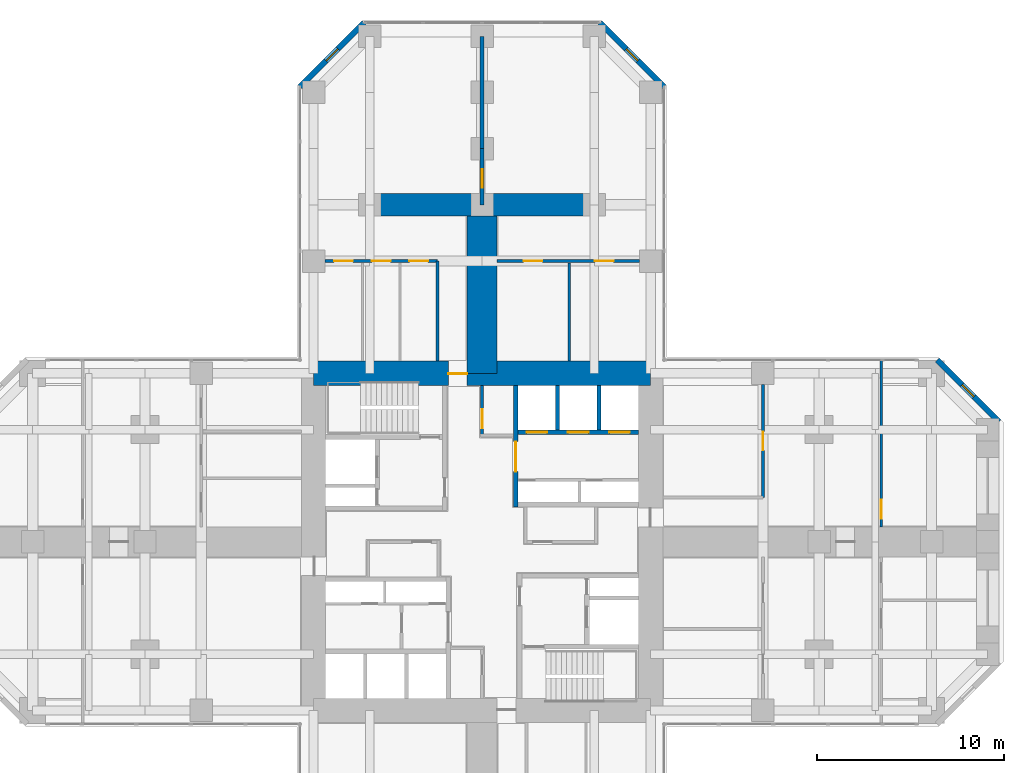
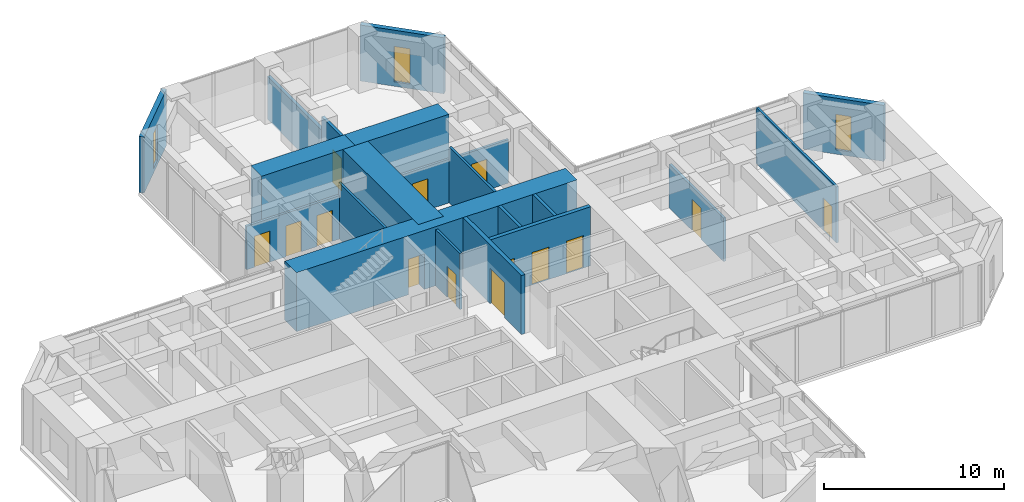
# One storey, part 11 of 13: 20 walls, 14 doors, 3 windows, 17 openings.
"""IFC4 building model written with IfcOpenShell, lengths in metres."""

from ifc_helpers import new_model, si_unit, direction, frame, frame_2d, origin, place, context, subcontext, project, spatial, rectangle, hollow_rectangle, extrude, material, layer, layer_set, constituent, constituent_set, type_object, element, fill, save


model = new_model("IFC4")

# Units and contexts
model_context = context("Model", 3, precision=1e-05, world=origin(), true_north=direction((0.0, 1.0)))
body_context = subcontext(model_context, "Body", "Model", "MODEL_VIEW")
ifc_project = project(units=[si_unit("LENGTHUNIT", "METRE"), si_unit("AREAUNIT", "SQUARE_METRE"), si_unit("VOLUMEUNIT", "CUBIC_METRE"), si_unit("PLANEANGLEUNIT", "RADIAN"), si_unit("MASSUNIT", "GRAM", prefix="KILO")], contexts=[model_context])

# Site, building, storey
site_placement = place(None, origin())
site = spatial("IfcSite", under=ifc_project, at=site_placement, CompositionType="ELEMENT")
building_placement = place(site_placement, origin())
building = spatial("IfcBuilding", under=site, at=building_placement, Name="Torre Cruceta", CompositionType="ELEMENT")
storey_placement = place(building_placement, frame((0.0, 0.0, 23.5)))
storey = spatial("IfcBuildingStorey", under=building, at=storey_placement, Name="L05", CompositionType="ELEMENT", Elevation=23.5)

# Wall, opening, door
ifc_material_1 = material(Name="Concrete G60 (fck 60 MPa)", Category="concrete")
ifc_layer_1 = layer(ifc_material_1, 0.25)
ifc_layer_set_1 = layer_set([ifc_layer_1], Name="Concrete G60 (fck 60 MPa)")
wall_type_1 = type_object("IfcWallType", Name="CORE INNER WALL 250 G60", PredefinedType="SHEAR", material=ifc_layer_set_1)
wall_1_placement = place(storey_placement, frame((1.800048828125, 1.875, 0.0), z_axis=(0.0, 0.0, 1.0), x_axis=(0.0, 1.0, 0.0)))
wall_1 = element("IfcWall", 1, at=wall_1_placement, inside=storey, type_object=wall_type_1, Name="CW4 L05 NE-CU", PredefinedType="SHEAR", context=body_context, shape_type="SweptSolid", body=[
    extrude(rectangle(XDim=6.47509765625, YDim=0.25, at=frame_2d((3.237548828125, 0.0))), origin(), (0.0, 0.0, 1.0), 4.0),
])
opening_1_placement = place(wall_1_placement, frame((1.875, 0.0, 0.0)))
opening_1 = element("IfcOpeningElement", 2, at=opening_1_placement, cuts=wall_1, Name="Opening D8", PredefinedType="OPENING", context=body_context, shape_type="SweptSolid", body=[
    extrude(rectangle(XDim=1.60009765625, YDim=2.39990234375, at=frame_2d((0.800048828125, 1.199951171875))), frame((0.0, 0.135009765625, 0.0), z_axis=(0.0, -1.0, 0.0), x_axis=(1.0, 0.0, 0.0)), (0.0, 0.0, 1.0), 0.27001953125),
])
ifc_material_2 = material(Name="Steel DX51D", Category="steel")
ifc_constituent_1 = constituent(ifc_material_2, Name="Leaf and frame")
ifc_material_3 = material(Name="Polyester powder coating", Category="paint")
ifc_constituent_2 = constituent(ifc_material_3, Name="Finish")
ifc_material_4 = material(Name="Fire-resisting glass", Category="glass")
ifc_constituent_3 = constituent(ifc_material_4, Name="Vision panel")
ifc_constituent_set_1 = constituent_set(constituents=[ifc_constituent_1, ifc_constituent_2, ifc_constituent_3], Name="Steel fire door with vision panels")
door_type_1 = type_object("IfcDoorType", Name="LIFT LOBBY DOUBLE DOOR 1600X2400", OperationType="DOUBLE_DOOR_DOUBLE_SWING", PredefinedType="DOOR", material=ifc_constituent_set_1)
door_1_placement = place(opening_1_placement, origin())
door_1 = element("IfcDoor", 3, at=door_1_placement, inside=storey, type_object=door_type_1, Name="D8 L05 NE-LOBBY", OperationType="DOUBLE_DOOR_DOUBLE_SWING", OverallHeight=2.39990234375, OverallWidth=1.60009765625, PredefinedType="DOOR", context=body_context, shape_type="SweptSolid", body=[
    extrude(rectangle(XDim=1.60009765625, YDim=2.39990234375, at=frame_2d((0.800048828125, 1.199951171875))), frame((0.0, 0.02490234375, 0.0), z_axis=(0.0, -1.0, 0.0), x_axis=(1.0, 0.0, 0.0)), (0.0, 0.0, 1.0), 0.050048828125),
])
fill(opening_1, door_1)

# Wall, openings, doors
wall_2_placement = place(storey_placement, frame((1.925048828125, 5.85009765625, 0.0), z_axis=(0.0, 0.0, 1.0), x_axis=(1.0, 0.0, 0.0)))
wall_2 = element("IfcWall", 4, at=wall_2_placement, inside=storey, type_object=wall_type_1, Name="CW4 L05 NE-LV", PredefinedType="SHEAR", context=body_context, shape_type="SweptSolid", body=[
    extrude(rectangle(XDim=6.425048828125, YDim=0.25, at=frame_2d((3.21240234375, 0.0))), origin(), (0.0, 0.0, 1.0), 4.0),
])
opening_2_placement = place(wall_2_placement, frame((0.4541015625, 0.0, 0.0)))
opening_2 = element("IfcOpeningElement", 5, at=opening_2_placement, cuts=wall_2, Name="Opening LD1", PredefinedType="OPENING", context=body_context, shape_type="SweptSolid", body=[
    extrude(rectangle(XDim=1.10009765625, YDim=2.199951171875, at=frame_2d((0.550048828125, 1.10009765625))), frame((0.0, 0.135009765625, 0.0), z_axis=(0.0, -1.0, 0.0), x_axis=(1.0, 0.0, 0.0)), (0.0, 0.0, 1.0), 0.27001953125),
])
opening_3_placement = place(wall_2_placement, frame((2.66259765625, 0.0, 0.0)))
opening_3 = element("IfcOpeningElement", 6, at=opening_3_placement, cuts=wall_2, Name="Opening LD1", PredefinedType="OPENING", context=body_context, shape_type="SweptSolid", body=[
    extrude(rectangle(XDim=1.10009765625, YDim=2.199951171875, at=frame_2d((0.550048828125, 1.10009765625))), frame((0.0, 0.135009765625, 0.0), z_axis=(0.0, -1.0, 0.0), x_axis=(1.0, 0.0, 0.0)), (0.0, 0.0, 1.0), 0.27001953125),
])
opening_4_placement = place(wall_2_placement, frame((4.870849609375, 0.0, 0.0)))
opening_4 = element("IfcOpeningElement", 7, at=opening_4_placement, cuts=wall_2, Name="Opening LD1", PredefinedType="OPENING", context=body_context, shape_type="SweptSolid", body=[
    extrude(rectangle(XDim=1.10009765625, YDim=2.199951171875, at=frame_2d((0.550048828125, 1.10009765625))), frame((0.0, 0.135009765625, 0.0), z_axis=(0.0, -1.0, 0.0), x_axis=(1.0, 0.0, 0.0)), (0.0, 0.0, 1.0), 0.27001953125),
])
ifc_material_5 = material(Name="Stainless steel 1.4401", Category="steel")
door_type_2 = type_object("IfcDoorType", Name="LIFT LANDING DOOR 1100X2200", OperationType="DOUBLE_DOOR_SLIDING", PredefinedType="DOOR", material=ifc_material_5)
door_2_placement = place(opening_2_placement, origin())
door_2 = element("IfcDoor", 8, at=door_2_placement, inside=storey, type_object=door_type_2, Name="Lift landing door P1", OperationType="DOUBLE_DOOR_SLIDING", OverallHeight=2.199951171875, OverallWidth=1.10009765625, PredefinedType="DOOR", context=body_context, shape_type="SweptSolid", body=[
    extrude(rectangle(XDim=1.10009765625, YDim=2.199951171875, at=frame_2d((0.550048828125, 1.10009765625))), frame((0.0, 0.02490234375, 0.0), z_axis=(0.0, -1.0, 0.0), x_axis=(1.0, 0.0, 0.0)), (0.0, 0.0, 1.0), 0.050048828125),
])
fill(opening_2, door_2)
door_3_placement = place(opening_3_placement, origin())
door_3 = element("IfcDoor", 9, at=door_3_placement, inside=storey, type_object=door_type_2, Name="Lift landing door P2", OperationType="DOUBLE_DOOR_SLIDING", OverallHeight=2.199951171875, OverallWidth=1.10009765625, PredefinedType="DOOR", context=body_context, shape_type="SweptSolid", body=[
    extrude(rectangle(XDim=1.10009765625, YDim=2.199951171875, at=frame_2d((0.550048828125, 1.10009765625))), frame((0.0, 0.02490234375, 0.0), z_axis=(0.0, -1.0, 0.0), x_axis=(1.0, 0.0, 0.0)), (0.0, 0.0, 1.0), 0.050048828125),
])
fill(opening_3, door_3)
door_4_placement = place(opening_4_placement, origin())
door_4 = element("IfcDoor", 10, at=door_4_placement, inside=storey, type_object=door_type_2, Name="Lift landing door P3", OperationType="DOUBLE_DOOR_SLIDING", OverallHeight=2.199951171875, OverallWidth=1.10009765625, PredefinedType="DOOR", context=body_context, shape_type="SweptSolid", body=[
    extrude(rectangle(XDim=1.10009765625, YDim=2.199951171875, at=frame_2d((0.550048828125, 1.10009765625))), frame((0.0, 0.02490234375, 0.0), z_axis=(0.0, -1.0, 0.0), x_axis=(1.0, 0.0, 0.0)), (0.0, 0.0, 1.0), 0.050048828125),
])
fill(opening_4, door_4)

# Wall, opening, door
ifc_material_6 = material(Name="Concrete G60 (fck 60 MPa)", Category="concrete")
ifc_layer_2 = layer(ifc_material_6, 1.300048828125)
ifc_layer_set_2 = layer_set([ifc_layer_2], Name="Concrete G60 (fck 60 MPa)")
wall_type_2 = type_object("IfcWallType", Name="CORE WALL 1300 G60", PredefinedType="SHEAR", material=ifc_layer_set_2)
wall_3_placement = place(storey_placement, frame((9.0, 9.0, 0.0), z_axis=(0.0, 0.0, 1.0), x_axis=(-1.0, 0.0, 0.0)))
wall_3 = element("IfcWall", 11, at=wall_3_placement, inside=storey, type_object=wall_type_2, Name="CW1 L05 CW-N", PredefinedType="SHEAR", context=body_context, shape_type="SweptSolid", body=[
    extrude(rectangle(XDim=18.0, YDim=1.300048828125, at=frame_2d((9.0, 0.0))), origin(), (0.0, 0.0, 1.0), 4.0),
])
opening_5_placement = place(wall_3_placement, frame((9.800048828125, 0.0, 0.0)))
opening_5 = element("IfcOpeningElement", 12, at=opening_5_placement, cuts=wall_3, Name="Opening D4", PredefinedType="OPENING", context=body_context, shape_type="SweptSolid", body=[
    extrude(rectangle(XDim=1.0, YDim=2.39990234375, at=frame_2d((0.5, 1.199951171875))), frame((0.0, 0.659912109375, 0.0), z_axis=(0.0, -1.0, 0.0), x_axis=(1.0, 0.0, 0.0)), (0.0, 0.0, 1.0), 1.320068359375),
])
ifc_material_7 = material(Name="Steel DX51D", Category="steel")
ifc_constituent_4 = constituent(ifc_material_7, Name="Leaf and frame")
ifc_material_8 = material(Name="Polyester powder coating", Category="paint")
ifc_constituent_5 = constituent(ifc_material_8, Name="Finish")
ifc_constituent_set_2 = constituent_set(constituents=[ifc_constituent_4, ifc_constituent_5], Name="Steel fire door")
door_type_3 = type_object("IfcDoorType", Name="CORE ARM DOOR 1000X2400", OperationType="SINGLE_SWING_RIGHT", PredefinedType="DOOR", material=ifc_constituent_set_2)
door_5_placement = place(opening_5_placement, frame((1.0, 0.0, 0.0), z_axis=(0.0, 0.0, 1.0), x_axis=(-1.0, 0.0, 0.0)))
door_5 = element("IfcDoor", 13, at=door_5_placement, inside=storey, type_object=door_type_3, Name="D4 L05 CW-N", OperationType="SINGLE_SWING_RIGHT", OverallHeight=2.39990234375, OverallWidth=1.0, PredefinedType="DOOR", context=body_context, shape_type="SweptSolid", body=[
    extrude(rectangle(XDim=1.0, YDim=2.39990234375, at=frame_2d((0.5, 1.199951171875))), frame((0.0, -0.005126953125, 0.0), z_axis=(0.0, -1.0, 0.0), x_axis=(1.0, 0.0, 0.0)), (0.0, 0.0, 1.0), 0.050048828125),
])
fill(opening_5, door_5)

ifc_material_9 = material(Name="Concrete G25 (fck 25 MPa)", Category="concrete")
ifc_layer_3 = layer(ifc_material_9, 0.199951171875)
ifc_layer_set_3 = layer_set([ifc_layer_3], Name="Concrete G25 (fck 25 MPa)")
wall_type_3 = type_object("IfcWallType", Name="CORRIDOR WALL 200", PredefinedType="SOLIDWALL", material=ifc_layer_set_3)
wall_4_placement = place(storey_placement, frame((0.0, 18.0, 0.0), z_axis=(0.0, 0.0, 1.0), x_axis=(0.0, 1.0, 0.0)))
wall_4 = element("IfcWall", 14, at=wall_4_placement, inside=storey, type_object=wall_type_3, Name="PT3 spine line L05 N", PredefinedType="SOLIDWALL", context=body_context, shape_type="SweptSolid", body=[
    extrude(rectangle(XDim=3.0, YDim=0.199951171875, at=frame_2d((1.5, 0.0))), origin(), (0.0, 0.0, 1.0), 3.800048828125),
])
opening_6_placement = place(wall_4_placement, frame((0.89990234375, 0.0, 0.0)))
opening_6 = element("IfcOpeningElement", 15, at=opening_6_placement, cuts=wall_4, Name="Opening D14", PredefinedType="OPENING", context=body_context, shape_type="SweptSolid", body=[
    extrude(rectangle(XDim=1.0, YDim=2.199951171875, at=frame_2d((0.5, 1.10009765625))), frame((0.0, 0.10986328125, 0.0), z_axis=(0.0, -1.0, 0.0), x_axis=(1.0, 0.0, 0.0)), (0.0, 0.0, 1.0), 0.219970703125),
])
ifc_material_10 = material(Name="Steel DX51D", Category="steel")
ifc_constituent_6 = constituent(ifc_material_10, Name="Leaf and frame")
ifc_material_11 = material(Name="Polyester powder coating", Category="paint")
ifc_constituent_7 = constituent(ifc_material_11, Name="Finish")
ifc_material_12 = material(Name="Fire-resisting glass", Category="glass")
ifc_constituent_8 = constituent(ifc_material_12, Name="Vision panel")
ifc_constituent_set_3 = constituent_set(constituents=[ifc_constituent_6, ifc_constituent_7, ifc_constituent_8], Name="Steel fire door with vision panel")
door_type_4 = type_object("IfcDoorType", Name="FIRE DOOR VISION PANEL 1000X2200", OperationType="SINGLE_SWING_RIGHT", PredefinedType="DOOR", material=ifc_constituent_set_3)
door_6_placement = place(opening_6_placement, frame((1.0, 0.0, 0.0), z_axis=(0.0, 0.0, 1.0), x_axis=(-1.0, 0.0, 0.0)))
door_6 = element("IfcDoor", 16, at=door_6_placement, inside=storey, type_object=door_type_4, Name="D14 L05-N-SP1", OperationType="SINGLE_SWING_RIGHT", OverallHeight=2.199951171875, OverallWidth=1.0, PredefinedType="DOOR", context=body_context, shape_type="SweptSolid", body=[
    extrude(rectangle(XDim=1.0, YDim=2.199951171875, at=frame_2d((0.5, 1.10009765625))), frame((0.0, 0.025146484375, 0.0), z_axis=(0.0, -1.0, 0.0), x_axis=(1.0, 0.0, 0.0)), (0.0, 0.0, 1.0), 0.050048828125),
])
fill(opening_6, door_6)

# Walls
wall_5_placement = place(storey_placement, frame((0.0, 21.0, 0.0), z_axis=(0.0, 0.0, 1.0), x_axis=(0.0, 1.0, 0.0)))
element("IfcWall", 17, at=wall_5_placement, inside=storey, type_object=wall_type_3, Name="PT3 spine line L05 N 2", PredefinedType="SOLIDWALL", context=body_context, shape_type="SweptSolid", body=[
    extrude(rectangle(XDim=6.0, YDim=0.199951171875, at=frame_2d((3.0, 0.0))), origin(), (0.0, 0.0, 1.0), 2.89990234375),
])
ifc_material_13 = material(Name="Concrete G60 (fck 60 MPa)", Category="concrete")
ifc_layer_4 = layer(ifc_material_13, 1.199951171875)
ifc_layer_set_4 = layer_set([ifc_layer_4], Name="Concrete G60 (fck 60 MPa)")
wall_type_4 = type_object("IfcWallType", Name="CROSS WALL 1200 G60", PredefinedType="SHEAR", material=ifc_layer_set_4)
for number, where, z_axis, x_axis, name in (
    (18, (0.0, 18.0, 0.0), (0.0, 0.0, 1.0), (-1.0, 0.0, 0.0), "XW1 cross wall L05 N L"),
    (19, (0.0, 18.0, 0.0), (0.0, 0.0, 1.0), (1.0, 0.0, 0.0), "XW1 cross wall L05 N R"),
):
    element("IfcWall", number, at=place(storey_placement, frame(where, z_axis=z_axis, x_axis=x_axis)), inside=storey, type_object=wall_type_4, Name=name, PredefinedType="SHEAR", context=body_context, shape_type="SweptSolid", body=[
        extrude(rectangle(XDim=6.0, YDim=1.199951171875, at=frame_2d((3.0, 0.0))), origin(), (0.0, 0.0, 1.0), 4.0),
    ])

# Wall, opening, window
ifc_material_14 = material(Name="Concrete G30 (fck 30 MPa)", Category="concrete")
ifc_layer_5 = layer(ifc_material_14, 0.300048828125)
ifc_layer_set_5 = layer_set([ifc_layer_5], Name="Concrete G30 (fck 30 MPa)")
wall_type_5 = type_object("IfcWallType", Name="EXPOSED CONCRETE FACADE WALL 300", PredefinedType="SOLIDWALL", material=ifc_layer_set_5)
wall_6_placement = place(storey_placement, frame((27.60009765625, 6.418212890625, 0.0), z_axis=(0.0, 0.0, 1.0), x_axis=(-0.707106781187, 0.707106781187, 0.0)))
wall_6 = element("IfcWall", 20, at=wall_6_placement, inside=storey, type_object=wall_type_5, Name="EW1 facade wall L05 E chamfer 03", PredefinedType="SOLIDWALL", context=body_context, shape_type="SweptSolid", body=[
    extrude(rectangle(XDim=4.66943359375, YDim=0.300048828125, at=frame_2d((2.334716796875, 0.0))), origin(), (0.0, 0.0, 1.0), 3.800048828125),
])
opening_7_placement = place(wall_6_placement, frame((1.884765625, 0.0, 0.300048828125)))
opening_7 = element("IfcOpeningElement", 21, at=opening_7_placement, cuts=wall_6, Name="Opening WN5", PredefinedType="OPENING", context=body_context, shape_type="SweptSolid", body=[
    extrude(rectangle(XDim=0.89990234375, YDim=2.39990234375, at=frame_2d((0.449951171875, 1.199951171875))), frame((0.0, 0.159912109375, 0.0), z_axis=(0.0, -1.0, 0.0), x_axis=(1.0, 0.0, 0.0)), (0.0, 0.0, 1.0), 0.320068359375),
])
ifc_material_15 = material(Name="Aluminium window frame", Category="aluminium")
ifc_constituent_9 = constituent(ifc_material_15, Name="Frame")
ifc_material_16 = material(Name="Laminated insulating glass unit, low-iron clear", Category="glass")
ifc_constituent_10 = constituent(ifc_material_16, Name="Glazing")
ifc_constituent_set_4 = constituent_set(constituents=[ifc_constituent_9, ifc_constituent_10], Name="Aluminium window")
window_type = type_object("IfcWindowType", Name="CHAMFER SLOT WINDOW 900X2400", PartitioningType="SINGLE_PANEL", PredefinedType="WINDOW", material=ifc_constituent_set_4)
window_1_placement = place(opening_7_placement, origin())
window_1 = element("IfcWindow", 22, at=window_1_placement, inside=storey, type_object=window_type, Name="WN5 L05 E 1", OverallHeight=2.39990234375, OverallWidth=0.89990234375, PartitioningType="SINGLE_PANEL", PredefinedType="WINDOW", context=body_context, shape_type="SweptSolid", body=[
    extrude(hollow_rectangle(XDim=0.89990234375, YDim=2.39990234375, WallThickness=0.06005859375, at=frame_2d((0.449951171875, 1.199951171875))), frame((0.0, 0.030029296875, 0.0), z_axis=(0.0, -1.0, 0.0), x_axis=(1.0, 0.0, 0.0)), (0.0, 0.0, 1.0), 0.06005859375),
    extrude(rectangle(XDim=0.77880859375, YDim=2.27880859375, at=frame_2d((0.449951171875, 1.199951171875))), frame((0.0, 0.030029296875, 0.0), z_axis=(0.0, -1.0, 0.0), x_axis=(1.0, 0.0, 0.0)), (0.0, 0.0, 1.0), 0.06005859375),
])
fill(opening_7, window_1)

wall_7_placement = place(storey_placement, frame((9.719970703125, 24.29833984375, 0.0), z_axis=(0.0, 0.0, 1.0), x_axis=(-0.707106781187, 0.707106781187, 0.0)))
wall_7 = element("IfcWall", 23, at=wall_7_placement, inside=storey, type_object=wall_type_5, Name="EW1 facade wall L05 N chamfer 06", PredefinedType="SOLIDWALL", context=body_context, shape_type="SweptSolid", body=[
    extrude(rectangle(XDim=4.8388671875, YDim=0.300048828125, at=frame_2d((2.41943359375, 0.0))), origin(), (0.0, 0.0, 1.0), 3.800048828125),
])
opening_8_placement = place(wall_7_placement, frame((1.969482421875, 0.0, 0.300048828125)))
opening_8 = element("IfcOpeningElement", 24, at=opening_8_placement, cuts=wall_7, Name="Opening WN5", PredefinedType="OPENING", context=body_context, shape_type="SweptSolid", body=[
    extrude(rectangle(XDim=0.89990234375, YDim=2.39990234375, at=frame_2d((0.449951171875, 1.199951171875))), frame((0.0, 0.159912109375, 0.0), z_axis=(0.0, -1.0, 0.0), x_axis=(1.0, 0.0, 0.0)), (0.0, 0.0, 1.0), 0.320068359375),
])
window_2_placement = place(opening_8_placement, origin())
window_2 = element("IfcWindow", 25, at=window_2_placement, inside=storey, type_object=window_type, Name="WN5 L05 N 1", OverallHeight=2.39990234375, OverallWidth=0.89990234375, PartitioningType="SINGLE_PANEL", PredefinedType="WINDOW", context=body_context, shape_type="SweptSolid", body=[
    extrude(hollow_rectangle(XDim=0.89990234375, YDim=2.39990234375, WallThickness=0.06005859375, at=frame_2d((0.449951171875, 1.199951171875))), frame((0.0, 0.030029296875, 0.0), z_axis=(0.0, -1.0, 0.0), x_axis=(1.0, 0.0, 0.0)), (0.0, 0.0, 1.0), 0.06005859375),
    extrude(rectangle(XDim=0.77880859375, YDim=2.27880859375, at=frame_2d((0.449951171875, 1.199951171875))), frame((0.0, 0.030029296875, 0.0), z_axis=(0.0, -1.0, 0.0), x_axis=(1.0, 0.0, 0.0)), (0.0, 0.0, 1.0), 0.06005859375),
])
fill(opening_8, window_2)

wall_8_placement = place(storey_placement, frame((-6.29833984375, 27.719970703125, 0.0), z_axis=(0.0, 0.0, 1.0), x_axis=(-0.707106781187, -0.707106781187, 0.0)))
wall_8 = element("IfcWall", 26, at=wall_8_placement, inside=storey, type_object=wall_type_5, Name="EW1 facade wall L05 N chamfer 08", PredefinedType="SOLIDWALL", context=body_context, shape_type="SweptSolid", body=[
    extrude(rectangle(XDim=4.8388671875, YDim=0.300048828125, at=frame_2d((2.41943359375, 0.0))), origin(), (0.0, 0.0, 1.0), 3.800048828125),
])
opening_9_placement = place(wall_8_placement, frame((1.969482421875, 0.0, 0.300048828125)))
opening_9 = element("IfcOpeningElement", 27, at=opening_9_placement, cuts=wall_8, Name="Opening WN5", PredefinedType="OPENING", context=body_context, shape_type="SweptSolid", body=[
    extrude(rectangle(XDim=0.89990234375, YDim=2.39990234375, at=frame_2d((0.449951171875, 1.199951171875))), frame((0.0, 0.159912109375, 0.0), z_axis=(0.0, -1.0, 0.0), x_axis=(1.0, 0.0, 0.0)), (0.0, 0.0, 1.0), 0.320068359375),
])
window_3_placement = place(opening_9_placement, origin())
window_3 = element("IfcWindow", 28, at=window_3_placement, inside=storey, type_object=window_type, Name="WN5 L05 N 1", OverallHeight=2.39990234375, OverallWidth=0.89990234375, PartitioningType="SINGLE_PANEL", PredefinedType="WINDOW", context=body_context, shape_type="SweptSolid", body=[
    extrude(hollow_rectangle(XDim=0.89990234375, YDim=2.39990234375, WallThickness=0.06005859375, at=frame_2d((0.449951171875, 1.199951171875))), frame((0.0, 0.030029296875, 0.0), z_axis=(0.0, -1.0, 0.0), x_axis=(1.0, 0.0, 0.0)), (0.0, 0.0, 1.0), 0.06005859375),
    extrude(rectangle(XDim=0.77880859375, YDim=2.27880859375, at=frame_2d((0.449951171875, 1.199951171875))), frame((0.0, 0.030029296875, 0.0), z_axis=(0.0, -1.0, 0.0), x_axis=(1.0, 0.0, 0.0)), (0.0, 0.0, 1.0), 0.06005859375),
])
fill(opening_9, window_3)

# Walls
ifc_material_17 = material(Name="Concrete G35 (fck 35 MPa)", Category="concrete")
ifc_layer_6 = layer(ifc_material_17, 0.199951171875)
ifc_layer_set_6 = layer_set([ifc_layer_6], Name="Concrete G35 (fck 35 MPa)")
wall_type_6 = type_object("IfcWallType", Name="LIFT SHAFT WALL 200", PredefinedType="PARTITIONING", material=ifc_layer_set_6)
for number, where, z_axis, x_axis, name in (
    (29, (4.033447265625, 5.97509765625, 0.0), (0.0, 0.0, 1.0), (0.0, 1.0, 0.0), "SW1 L05 NE-LS1"),
    (30, (6.24169921875, 5.97509765625, 0.0), (0.0, 0.0, 1.0), (0.0, 1.0, 0.0), "SW1 L05 NE-LS2"),
):
    element("IfcWall", number, at=place(storey_placement, frame(where, z_axis=z_axis, x_axis=x_axis)), inside=storey, type_object=wall_type_6, Name=name, PredefinedType="PARTITIONING", context=body_context, shape_type="SweptSolid", body=[
        extrude(rectangle(XDim=2.375, YDim=0.199951171875, at=frame_2d((1.1875, 0.0))), origin(), (0.0, 0.0, 1.0), 4.0),
    ])

# Wall, opening, door
ifc_material_18 = material(Name="Plasterboard on steel studs", Category="steel")
ifc_layer_7 = layer(ifc_material_18, 0.14990234375)
ifc_layer_set_7 = layer_set([ifc_layer_7], Name="Plasterboard on steel studs")
wall_type_7 = type_object("IfcWallType", Name="PARTITION 150", PredefinedType="PARTITIONING", material=ifc_layer_set_7)
wall_9_placement = place(storey_placement, frame((0.0, 5.675048828125, 0.0), z_axis=(0.0, 0.0, 1.0), x_axis=(0.0, 1.0, 0.0)))
wall_9 = element("IfcWall", 31, at=wall_9_placement, inside=storey, type_object=wall_type_7, Name="PT1 L05-CORE-LEGN-E-W1", PredefinedType="PARTITIONING", context=body_context, shape_type="SweptSolid", body=[
    extrude(rectangle(XDim=2.675048828125, YDim=0.14990234375, at=frame_2d((1.33740234375, 0.0))), origin(), (0.0, 0.0, 1.0), 3.800048828125),
])
opening_10_placement = place(wall_9_placement, frame((0.39990234375, 0.0, 0.0)))
opening_10 = element("IfcOpeningElement", 32, at=opening_10_placement, cuts=wall_9, Name="Opening D3", PredefinedType="OPENING", context=body_context, shape_type="SweptSolid", body=[
    extrude(rectangle(XDim=1.0, YDim=2.10009765625, at=frame_2d((0.5, 1.050048828125))), frame((0.0, 0.0849609375, 0.0), z_axis=(0.0, -1.0, 0.0), x_axis=(1.0, 0.0, 0.0)), (0.0, 0.0, 1.0), 0.169921875),
])
ifc_material_19 = material(Name="Steel DX51D", Category="steel")
ifc_constituent_11 = constituent(ifc_material_19, Name="Leaf and frame")
ifc_material_20 = material(Name="Polyester powder coating", Category="paint")
ifc_constituent_12 = constituent(ifc_material_20, Name="Finish")
ifc_constituent_set_5 = constituent_set(constituents=[ifc_constituent_11, ifc_constituent_12], Name="Steel fire door")
door_type_5 = type_object("IfcDoorType", Name="FIRE DOOR 1000X2100", OperationType="SINGLE_SWING_LEFT", PredefinedType="DOOR", material=ifc_constituent_set_5)
door_7_placement = place(opening_10_placement, frame((1.0, 0.0, 0.0), z_axis=(0.0, 0.0, 1.0), x_axis=(-1.0, 0.0, 0.0)))
door_7 = element("IfcDoor", 33, at=door_7_placement, inside=storey, type_object=door_type_5, Name="D3 L05-CORE-LEGN-E-W1-D1", OperationType="SINGLE_SWING_RIGHT", OverallHeight=2.10009765625, OverallWidth=1.0, PredefinedType="DOOR", context=body_context, shape_type="SweptSolid", body=[
    extrude(rectangle(XDim=1.0, YDim=2.10009765625, at=frame_2d((0.5, 1.050048828125))), frame((0.0, 0.025146484375, 0.0), z_axis=(0.0, -1.0, 0.0), x_axis=(1.0, 0.0, 0.0)), (0.0, 0.0, 1.0), 0.050048828125),
])
fill(opening_10, door_7)

# Wall, openings, doors
wall_10_placement = place(storey_placement, frame((-2.375, 15.0, 0.0), z_axis=(0.0, 0.0, 1.0), x_axis=(-1.0, 0.0, 0.0)))
wall_10 = element("IfcWall", 34, at=wall_10_placement, inside=storey, type_object=wall_type_7, Name="PT1 L05-N-BFL", PredefinedType="PARTITIONING", context=body_context, shape_type="SweptSolid", body=[
    extrude(rectangle(XDim=6.02490234375, YDim=0.14990234375, at=frame_2d((3.012451171875, 0.0))), origin(), (0.0, 0.0, 1.0), 2.949951171875),
])
opening_11_placement = place(wall_10_placement, frame((0.504150390625, 0.0, 0.0)))
opening_11 = element("IfcOpeningElement", 35, at=opening_11_placement, cuts=wall_10, Name="Opening D3", PredefinedType="OPENING", context=body_context, shape_type="SweptSolid", body=[
    extrude(rectangle(XDim=1.0, YDim=2.10009765625, at=frame_2d((0.5, 1.050048828125))), frame((0.0, 0.0849609375, 0.0), z_axis=(0.0, -1.0, 0.0), x_axis=(1.0, 0.0, 0.0)), (0.0, 0.0, 1.0), 0.169921875),
])
opening_12_placement = place(wall_10_placement, frame((2.512451171875, 0.0, 0.0)))
opening_12 = element("IfcOpeningElement", 36, at=opening_12_placement, cuts=wall_10, Name="Opening D3", PredefinedType="OPENING", context=body_context, shape_type="SweptSolid", body=[
    extrude(rectangle(XDim=1.0, YDim=2.10009765625, at=frame_2d((0.5, 1.050048828125))), frame((0.0, 0.0849609375, 0.0), z_axis=(0.0, -1.0, 0.0), x_axis=(1.0, 0.0, 0.0)), (0.0, 0.0, 1.0), 0.169921875),
])
opening_13_placement = place(wall_10_placement, frame((4.520751953125, 0.0, 0.0)))
opening_13 = element("IfcOpeningElement", 37, at=opening_13_placement, cuts=wall_10, Name="Opening D3", PredefinedType="OPENING", context=body_context, shape_type="SweptSolid", body=[
    extrude(rectangle(XDim=1.0, YDim=2.10009765625, at=frame_2d((0.5, 1.050048828125))), frame((0.0, 0.0849609375, 0.0), z_axis=(0.0, -1.0, 0.0), x_axis=(1.0, 0.0, 0.0)), (0.0, 0.0, 1.0), 0.169921875),
])
door_8_placement = place(opening_11_placement, origin())
door_8 = element("IfcDoor", 38, at=door_8_placement, inside=storey, type_object=door_type_5, Name="D3 L05-N-BFL-D1", OperationType="SINGLE_SWING_LEFT", OverallHeight=2.10009765625, OverallWidth=1.0, PredefinedType="DOOR", context=body_context, shape_type="SweptSolid", body=[
    extrude(rectangle(XDim=1.0, YDim=2.10009765625, at=frame_2d((0.5, 1.050048828125))), frame((0.0, 0.02490234375, 0.0), z_axis=(0.0, -1.0, 0.0), x_axis=(1.0, 0.0, 0.0)), (0.0, 0.0, 1.0), 0.050048828125),
])
fill(opening_11, door_8)
door_9_placement = place(opening_12_placement, origin())
door_9 = element("IfcDoor", 39, at=door_9_placement, inside=storey, type_object=door_type_5, Name="D3 L05-N-BFL-D2", OperationType="SINGLE_SWING_LEFT", OverallHeight=2.10009765625, OverallWidth=1.0, PredefinedType="DOOR", context=body_context, shape_type="SweptSolid", body=[
    extrude(rectangle(XDim=1.0, YDim=2.10009765625, at=frame_2d((0.5, 1.050048828125))), frame((0.0, 0.02490234375, 0.0), z_axis=(0.0, -1.0, 0.0), x_axis=(1.0, 0.0, 0.0)), (0.0, 0.0, 1.0), 0.050048828125),
])
fill(opening_12, door_9)
door_10_placement = place(opening_13_placement, origin())
door_10 = element("IfcDoor", 40, at=door_10_placement, inside=storey, type_object=door_type_5, Name="D3 L05-N-BFL-D3", OperationType="SINGLE_SWING_LEFT", OverallHeight=2.10009765625, OverallWidth=1.0, PredefinedType="DOOR", context=body_context, shape_type="SweptSolid", body=[
    extrude(rectangle(XDim=1.0, YDim=2.10009765625, at=frame_2d((0.5, 1.050048828125))), frame((0.0, 0.02490234375, 0.0), z_axis=(0.0, -1.0, 0.0), x_axis=(1.0, 0.0, 0.0)), (0.0, 0.0, 1.0), 0.050048828125),
])
fill(opening_13, door_10)

# Wall
wall_11_placement = place(storey_placement, frame((-2.375, 9.64990234375, 0.0), z_axis=(0.0, 0.0, 1.0), x_axis=(0.0, 1.0, 0.0)))
element("IfcWall", 41, at=wall_11_placement, inside=storey, type_object=wall_type_7, Name="PT1 L05-N-BSL", PredefinedType="PARTITIONING", context=body_context, shape_type="SweptSolid", body=[
    extrude(rectangle(XDim=5.35009765625, YDim=0.14990234375, at=frame_2d((2.675048828125, 0.0))), origin(), (0.0, 0.0, 1.0), 3.800048828125),
])

# Wall, openings, doors
wall_12_placement = place(storey_placement, frame((8.39990234375, 15.0, 0.0), z_axis=(0.0, 0.0, 1.0), x_axis=(-1.0, 0.0, 0.0)))
wall_12 = element("IfcWall", 42, at=wall_12_placement, inside=storey, type_object=wall_type_7, Name="PT1 L05-N-BFR", PredefinedType="PARTITIONING", context=body_context, shape_type="SweptSolid", body=[
    extrude(rectangle(XDim=7.599853515625, YDim=0.14990234375, at=frame_2d((3.7998046875, 0.0))), origin(), (0.0, 0.0, 1.0), 2.949951171875),
])
opening_14_placement = place(wall_12_placement, frame((1.375, 0.0, 0.0)))
opening_14 = element("IfcOpeningElement", 43, at=opening_14_placement, cuts=wall_12, Name="Opening D3", PredefinedType="OPENING", context=body_context, shape_type="SweptSolid", body=[
    extrude(rectangle(XDim=1.0, YDim=2.10009765625, at=frame_2d((0.5, 1.050048828125))), frame((0.0, 0.0849609375, 0.0), z_axis=(0.0, -1.0, 0.0), x_axis=(1.0, 0.0, 0.0)), (0.0, 0.0, 1.0), 0.169921875),
])
opening_15_placement = place(wall_12_placement, frame((5.175048828125, 0.0, 0.0)))
opening_15 = element("IfcOpeningElement", 44, at=opening_15_placement, cuts=wall_12, Name="Opening D3", PredefinedType="OPENING", context=body_context, shape_type="SweptSolid", body=[
    extrude(rectangle(XDim=1.0, YDim=2.10009765625, at=frame_2d((0.5, 1.050048828125))), frame((0.0, 0.0849609375, 0.0), z_axis=(0.0, -1.0, 0.0), x_axis=(1.0, 0.0, 0.0)), (0.0, 0.0, 1.0), 0.169921875),
])
door_11_placement = place(opening_14_placement, origin())
door_11 = element("IfcDoor", 45, at=door_11_placement, inside=storey, type_object=door_type_5, Name="D3 L05-N-BFR-D1", OperationType="SINGLE_SWING_RIGHT", OverallHeight=2.10009765625, OverallWidth=1.0, PredefinedType="DOOR", context=body_context, shape_type="SweptSolid", body=[
    extrude(rectangle(XDim=1.0, YDim=2.10009765625, at=frame_2d((0.5, 1.050048828125))), frame((0.0, 0.02490234375, 0.0), z_axis=(0.0, -1.0, 0.0), x_axis=(1.0, 0.0, 0.0)), (0.0, 0.0, 1.0), 0.050048828125),
])
fill(opening_14, door_11)
door_12_placement = place(opening_15_placement, origin())
door_12 = element("IfcDoor", 46, at=door_12_placement, inside=storey, type_object=door_type_5, Name="D3 L05-N-BFR-D2", OperationType="SINGLE_SWING_LEFT", OverallHeight=2.10009765625, OverallWidth=1.0, PredefinedType="DOOR", context=body_context, shape_type="SweptSolid", body=[
    extrude(rectangle(XDim=1.0, YDim=2.10009765625, at=frame_2d((0.5, 1.050048828125))), frame((0.0, 0.02490234375, 0.0), z_axis=(0.0, -1.0, 0.0), x_axis=(1.0, 0.0, 0.0)), (0.0, 0.0, 1.0), 0.050048828125),
])
fill(opening_15, door_12)

# Wall
wall_13_placement = place(storey_placement, frame((4.64990234375, 9.64990234375, 0.0), z_axis=(0.0, 0.0, 1.0), x_axis=(0.0, 1.0, 0.0)))
element("IfcWall", 47, at=wall_13_placement, inside=storey, type_object=wall_type_7, Name="PT1 L05-N-BDR1", PredefinedType="PARTITIONING", context=body_context, shape_type="SweptSolid", body=[
    extrude(rectangle(XDim=5.25, YDim=0.14990234375, at=frame_2d((2.625, 0.0))), origin(), (0.0, 0.0, 1.0), 3.800048828125),
])

# Wall, opening, door
wall_14_placement = place(storey_placement, frame((15.0, 2.375, 0.0), z_axis=(0.0, 0.0, 1.0), x_axis=(0.0, 1.0, 0.0)))
wall_14 = element("IfcWall", 48, at=wall_14_placement, inside=storey, type_object=wall_type_7, Name="PT1 L05-E-BFL", PredefinedType="PARTITIONING", context=body_context, shape_type="SweptSolid", body=[
    extrude(rectangle(XDim=6.02490234375, YDim=0.14990234375, at=frame_2d((3.012451171875, 0.0))), origin(), (0.0, 0.0, 1.0), 2.949951171875),
])
opening_16_placement = place(wall_14_placement, frame((2.512451171875, 0.0, 0.0)))
opening_16 = element("IfcOpeningElement", 49, at=opening_16_placement, cuts=wall_14, Name="Opening D3", PredefinedType="OPENING", context=body_context, shape_type="SweptSolid", body=[
    extrude(rectangle(XDim=1.0, YDim=2.10009765625, at=frame_2d((0.5, 1.050048828125))), frame((0.0, 0.0849609375, 0.0), z_axis=(0.0, -1.0, 0.0), x_axis=(1.0, 0.0, 0.0)), (0.0, 0.0, 1.0), 0.169921875),
])
door_13_placement = place(opening_16_placement, origin())
door_13 = element("IfcDoor", 50, at=door_13_placement, inside=storey, type_object=door_type_5, Name="D3 L05-E-BFL-D1", OperationType="SINGLE_SWING_LEFT", OverallHeight=2.10009765625, OverallWidth=1.0, PredefinedType="DOOR", context=body_context, shape_type="SweptSolid", body=[
    extrude(rectangle(XDim=1.0, YDim=2.10009765625, at=frame_2d((0.5, 1.050048828125))), frame((0.0, 0.02490234375, 0.0), z_axis=(0.0, -1.0, 0.0), x_axis=(1.0, 0.0, 0.0)), (0.0, 0.0, 1.0), 0.050048828125),
])
fill(opening_16, door_13)

wall_15_placement = place(storey_placement, frame((21.320068359375, 0.800048828125, 0.0), z_axis=(0.0, 0.0, 1.0), x_axis=(0.0, 1.0, 0.0)))
wall_15 = element("IfcWall", 51, at=wall_15_placement, inside=storey, type_object=wall_type_7, Name="PT1 L05-E-TWL", PredefinedType="PARTITIONING", context=body_context, shape_type="SweptSolid", body=[
    extrude(rectangle(XDim=8.8798828125, YDim=0.14990234375, at=frame_2d((4.43994140625, 0.0))), origin(), (0.0, 0.0, 1.0), 3.800048828125),
])
opening_17_placement = place(wall_15_placement, frame((0.449951171875, 0.0, 0.0)))
opening_17 = element("IfcOpeningElement", 52, at=opening_17_placement, cuts=wall_15, Name="Opening D14", PredefinedType="OPENING", context=body_context, shape_type="SweptSolid", body=[
    extrude(rectangle(XDim=1.0, YDim=2.199951171875, at=frame_2d((0.5, 1.10009765625))), frame((0.0, 0.0849609375, 0.0), z_axis=(0.0, -1.0, 0.0), x_axis=(1.0, 0.0, 0.0)), (0.0, 0.0, 1.0), 0.169921875),
])
door_14_placement = place(opening_17_placement, frame((1.0, 0.0, 0.0), z_axis=(0.0, 0.0, 1.0), x_axis=(-1.0, 0.0, 0.0)))
door_14 = element("IfcDoor", 53, at=door_14_placement, inside=storey, type_object=door_type_4, Name="D14 L05-E-TWL-D1", OperationType="SINGLE_SWING_RIGHT", OverallHeight=2.199951171875, OverallWidth=1.0, PredefinedType="DOOR", context=body_context, shape_type="SweptSolid", body=[
    extrude(rectangle(XDim=1.0, YDim=2.199951171875, at=frame_2d((0.5, 1.10009765625))), frame((0.0, 0.025146484375, 0.0), z_axis=(0.0, -1.0, 0.0), x_axis=(1.0, 0.0, 0.0)), (0.0, 0.0, 1.0), 0.050048828125),
])
fill(opening_17, door_14)

# Wall
ifc_material_21 = material(Name="Concrete G60 (fck 60 MPa)", Category="concrete")
ifc_layer_8 = layer(ifc_material_21, 1.60009765625)
ifc_layer_set_8 = layer_set([ifc_layer_8], Name="Concrete G60 (fck 60 MPa)")
wall_type_8 = type_object("IfcWallType", Name="SPINE WALL 1600 G60", PredefinedType="SHEAR", material=ifc_layer_set_8)
wall_16_placement = place(storey_placement, frame((0.0, 9.0, 0.0), z_axis=(0.0, 0.0, 1.0), x_axis=(0.0, 1.0, 0.0)))
element("IfcWall", 54, at=wall_16_placement, inside=storey, type_object=wall_type_8, Name="SW2 spine wall L05 N", PredefinedType="SHEAR", context=body_context, shape_type="SweptSolid", body=[
    extrude(rectangle(XDim=9.0, YDim=1.60009765625, at=frame_2d((4.5, 0.0))), origin(), (0.0, 0.0, 1.0), 4.0),
])

save(model, "model.ifc")
